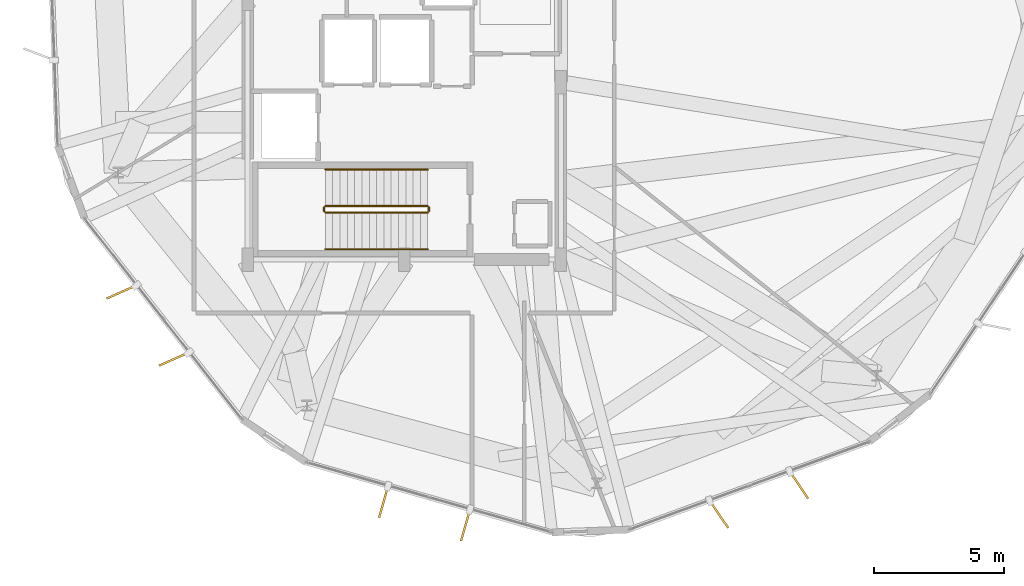
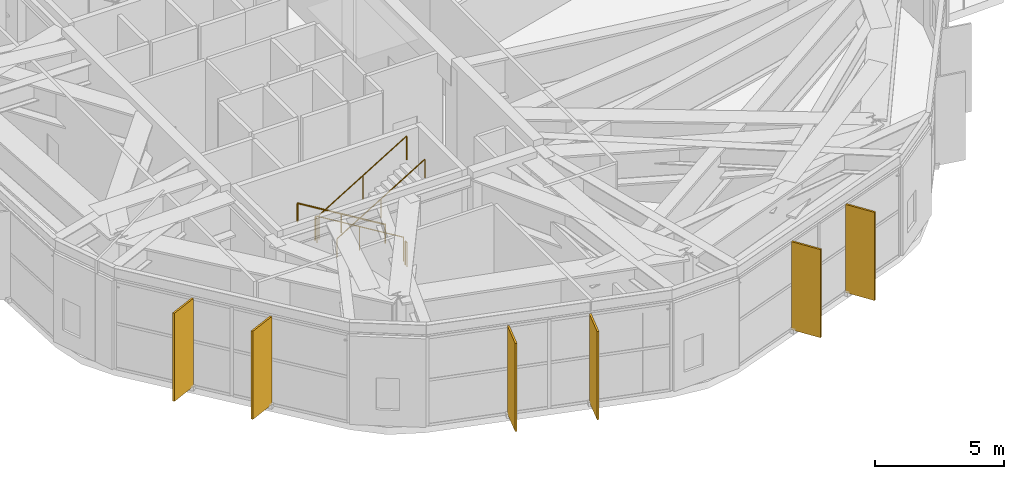
# One storey, part 28 of 30: 6 railings, 6 shading devices.
"""IFC4 building model written with IfcOpenShell, lengths in metres."""

import ifcopenshell
import ifcopenshell.guid

model = None  # the IFC model being written
_history = None  # IfcOwnerHistory: only IFC2X3 demands one
_inside = {}  # id of a spatial element -> (the spatial element, [elements in it])
_under = {}  # id of a project, library or spatial element -> (it, [spatial elements below it])
_declared = {}  # id of a project -> (the project, [libraries it declares])
_typed = {}  # id of a type object -> (the type object, [elements of that type])
_made_of = {}  # id of a material, layer set ... -> (it, [elements and type objects made of it])


def new_model(schema):
    """Start an empty IFC model of exactly this schema.

    Asked for "IFC4X3", IfcOpenShell would pick the latest addendum, in which some entities
    have other attributes; the version numbers below select the first issue.
    IFC2X3 requires an IfcOwnerHistory on every rooted entity: one is made here for all.
    """
    global model, _history
    if schema == "IFC4X3":
        model = ifcopenshell.file(schema_version=(4, 3, 0, 0))
    else:
        model = ifcopenshell.file(schema=schema)
    _inside.clear()
    _under.clear()
    _declared.clear()
    _typed.clear()
    _made_of.clear()
    _history = None
    if model.schema == "IFC2X3":
        org = make("IfcOrganization", Name="unknown")
        user = make(
            "IfcPersonAndOrganization",
            ThePerson=make("IfcPerson", FamilyName="unknown"),
            TheOrganization=org,
        )
        app = make(
            "IfcApplication",
            ApplicationDeveloper=org,
            Version="unknown",
            ApplicationFullName="unknown",
            ApplicationIdentifier="unknown",
        )
        _history = make(
            "IfcOwnerHistory",
            OwningUser=user,
            OwningApplication=app,
            ChangeAction="ADDED",
            CreationDate=0,
        )
    return model


def make(cls, **values):
    """One entity of the class cls with the attributes given. An attribute that is None is left unset."""
    return model.create_entity(
        cls, **{name: value for name, value in values.items() if value is not None}
    )


def rooted(cls, **values):
    """An entity with a GlobalId (a new one), such as an element, a storey or a relation."""
    return make(cls, GlobalId=ifcopenshell.guid.new(), OwnerHistory=_history, **values)


def si_unit(unit_type, name, prefix=None):
    """IfcSIUnit, for example si_unit("LENGTHUNIT", "METRE", prefix="MILLI")."""
    return make("IfcSIUnit", UnitType=unit_type, Prefix=prefix, Name=name)


def assignment(units):
    """IfcUnitAssignment: the units of a project."""
    return None if units is None else make("IfcUnitAssignment", Units=units)


def point(xyz):
    """IfcCartesianPoint."""
    return None if xyz is None else make("IfcCartesianPoint", Coordinates=xyz)


def direction(xyz):
    """IfcDirection."""
    return None if xyz is None else make("IfcDirection", DirectionRatios=xyz)


def frame(location, z_axis=None, x_axis=None):
    """IfcAxis2Placement3D, a coordinate frame: its origin and axes. An axis left out is left unset."""
    return make(
        "IfcAxis2Placement3D",
        Location=point(location),
        Axis=direction(z_axis),
        RefDirection=direction(x_axis),
    )


def frame_2d(location, x_axis=None):
    """IfcAxis2Placement2D, a coordinate frame in the plane: its origin and x axis."""
    return make(
        "IfcAxis2Placement2D", Location=point(location), RefDirection=direction(x_axis)
    )


def origin():
    """The frame at (0, 0, 0) with its axes left unset."""
    return frame((0.0, 0.0, 0.0))


def origin_2d():
    """The frame at (0, 0) in the plane with its x axis left unset."""
    return frame_2d((0.0, 0.0))


def place(relative_to, where):
    """IfcLocalPlacement: puts the frame where relative to a parent placement (None: the world)."""
    return make(
        "IfcLocalPlacement", PlacementRelTo=relative_to, RelativePlacement=where
    )


def context(
    kind, dimensions, precision=None, world=None, true_north=None, identifier=None
):
    """IfcGeometricRepresentationContext, for example the 3D "Model" context."""
    return make(
        "IfcGeometricRepresentationContext",
        ContextIdentifier=identifier,
        ContextType=kind,
        CoordinateSpaceDimension=dimensions,
        Precision=precision,
        WorldCoordinateSystem=world,
        TrueNorth=true_north,
    )


def subcontext(parent, identifier, kind, view, scale=None):
    """IfcGeometricRepresentationSubContext, for example "Body" below "Model"."""
    return make(
        "IfcGeometricRepresentationSubContext",
        ContextIdentifier=identifier,
        ContextType=kind,
        ParentContext=parent,
        TargetScale=scale,
        TargetView=view,
    )


def project(units=None, contexts=None):
    """IfcProject with its units and contexts."""
    return rooted(
        "IfcProject",
        Name="project",
        RepresentationContexts=contexts,
        UnitsInContext=assignment(units),
    )


def spatial(cls, under=None, at=None, **own):
    """A site, building, storey or space (cls), placed at a placement, below another one or the project."""
    s = rooted(cls, ObjectPlacement=at, **own)
    if under is not None:
        _under.setdefault(under.id(), (under, []))[1].append(s)
    return s


def profile(cls, at=None, kind="AREA", **sizes):
    """A parametric profile (cls). Its sizes go by their IFC names, for example OverallWidth=200.0."""
    return make(cls, ProfileType=kind, Position=at, **sizes)


def rectangle(**sizes):
    """IfcRectangleProfileDef."""
    return profile("IfcRectangleProfileDef", **sizes)


def circle(**sizes):
    """IfcCircleProfileDef."""
    return profile("IfcCircleProfileDef", **sizes)


def extrude(swept, where, along, depth):
    """IfcExtrudedAreaSolid: the profile swept, set in the frame where, extruded along a direction by depth."""
    return make(
        "IfcExtrudedAreaSolid",
        SweptArea=swept,
        Position=where,
        ExtrudedDirection=direction(along),
        Depth=depth,
    )


def shape(context_of_items, identifier, shape_type, items):
    """IfcShapeRepresentation: the items that make up one representation, for example the "Body"."""
    return make(
        "IfcShapeRepresentation",
        ContextOfItems=context_of_items,
        RepresentationIdentifier=identifier,
        RepresentationType=shape_type,
        Items=items,
    )


def material(Name=None, Category=None):
    """IfcMaterial."""
    return make("IfcMaterial", Name=Name, Category=Category)


def layer(
    of_material, thickness, ventilated=None, Name=None, Category=None, Priority=None
):
    """IfcMaterialLayer: one layer of a wall or slab, of a material (None: an air gap)."""
    return make(
        "IfcMaterialLayer",
        Material=of_material,
        LayerThickness=thickness,
        IsVentilated=ventilated,
        Name=Name,
        Category=Category,
        Priority=Priority,
    )


def layer_set(layers, Name=None):
    """IfcMaterialLayerSet."""
    return make("IfcMaterialLayerSet", MaterialLayers=layers, LayerSetName=Name)


def made_of(thing, what):
    """Note that an element or type object is made of a material, layer set ...; save() writes the relation."""
    if what is not None:
        _made_of.setdefault(what.id(), (what, []))[1].append(thing)
    return thing


def type_object(cls, material=None, **own):
    """A type object (cls), such as IfcWallType, which elements share."""
    return made_of(rooted(cls, **own), material)


def element(
    cls,
    number,
    at=None,
    inside=None,
    cuts=None,
    type_object=None,
    material=None,
    context=None,
    identifier="Body",
    shape_type=None,
    held_by="IfcProductDefinitionShape",
    body=None,
    shapes=None,
    **own,
):
    """One element of the class cls, such as IfcWall. Its Tag is "e" and its number.

    at: its placement. inside: the storey or other place that contains it. cuts: it is an
    opening in that element (IfcRelVoidsElement). A single representation is given by context,
    identifier, shape_type and body (its items); several are given by shapes. held_by: the class
    of the entity that holds the representations. save() writes the other relations.
    """
    e = rooted(cls, Tag="e%d" % number, ObjectPlacement=at, **own)
    if body is not None:
        shapes = [shape(context, identifier, shape_type, body)]
    if shapes is not None:
        e.Representation = make(held_by, Representations=shapes)
    if inside is not None:
        _inside.setdefault(inside.id(), (inside, []))[1].append(e)
    if cuts is not None:
        rooted(
            "IfcRelVoidsElement", RelatingBuildingElement=cuts, RelatedOpeningElement=e
        )
    if type_object is not None:
        _typed.setdefault(type_object.id(), (type_object, []))[1].append(e)
    return made_of(e, material)


def aggregate(whole, parts):
    """IfcRelAggregates: a whole, such as a stair, and the parts it consists of."""
    return rooted("IfcRelAggregates", RelatingObject=whole, RelatedObjects=parts)


def save(model, path):
    """Write the relations noted so far, then the file.

    IfcRelAggregates (storeys below a building ...), IfcRelContainedInSpatialStructure (elements
    in a storey), IfcRelDefinesByType, IfcRelAssociatesMaterial and IfcRelDeclares: one each for
    every whole, place, type object, material and project.
    """
    for whole, parts in _under.values():
        aggregate(whole, parts)
    for where, things in _inside.values():
        rooted(
            "IfcRelContainedInSpatialStructure",
            RelatedElements=things,
            RelatingStructure=where,
        )
    for kind, things in _typed.values():
        rooted("IfcRelDefinesByType", RelatedObjects=things, RelatingType=kind)
    for what, things in _made_of.values():
        rooted("IfcRelAssociatesMaterial", RelatedObjects=things, RelatingMaterial=what)
    for by, libraries in _declared.values():
        rooted("IfcRelDeclares", RelatingContext=by, RelatedDefinitions=libraries)
    model.write(path)


model = new_model("IFC4")

# Units and contexts
model_context = context("Model", 3, precision=1e-05, world=origin(), true_north=direction((0.0, 1.0)))
body_context = subcontext(model_context, "Body", "Model", "MODEL_VIEW")
ifc_project = project(units=[si_unit("LENGTHUNIT", "METRE"), si_unit("AREAUNIT", "SQUARE_METRE"), si_unit("VOLUMEUNIT", "CUBIC_METRE"), si_unit("PLANEANGLEUNIT", "RADIAN"), si_unit("MASSUNIT", "GRAM", prefix="KILO")], contexts=[model_context])

# Site, building, storey
site_placement = place(None, origin())
site = spatial("IfcSite", under=ifc_project, at=site_placement, CompositionType="ELEMENT")
building_placement = place(site_placement, origin())
building = spatial("IfcBuilding", under=site, at=building_placement, Name="Soratama Intermodal Tower", CompositionType="ELEMENT")
storey_placement = place(building_placement, frame((0.0, 0.0, 237.39990234375)))
storey = spatial("IfcBuildingStorey", under=building, at=storey_placement, Name="L60", CompositionType="ELEMENT", Elevation=237.39990234375)

# Railings
ifc_material_1 = material(Name="Painted steel stair guardrail", Category="steel")
railing_type_1 = type_object("IfcRailingType", Name="RL-STAIR-GUARD", PredefinedType="GUARDRAIL", material=ifc_material_1)
railing_1_placement = place(storey_placement, frame((39.5, 17.050048828125, 0.170166015625)))
element("IfcRailing", 1, at=railing_1_placement, inside=storey, type_object=railing_type_1, Name="L60 ST-1 stair guard 1", PredefinedType="GUARDRAIL", context=body_context, shape_type="SweptSolid", body=[
    extrude(circle(Radius=0.02392578125, at=origin_2d()), frame((0.0, 0.0, 1.1259765625), z_axis=(-0.854794262968, 0.0, 0.518967020143), x_axis=(0.0, -1.0, 0.0)), (0.0, 0.0, 1.0), 4.585693359375),
    extrude(circle(Radius=0.02099609375, at=origin_2d()), origin(), (0.0, 0.0, 1.0), 1.101806640625),
    extrude(circle(Radius=0.02099609375, at=origin_2d()), frame((-1.9599609375, 0.0, 1.18994140625)), (0.0, 0.0, 1.0), 1.101806640625),
    extrude(circle(Radius=0.02099609375, at=origin_2d()), frame((-3.919921875, 0.0, 2.3798828125)), (0.0, 0.0, 1.0), 1.101806640625),
])
railing_2_placement = place(storey_placement, frame((35.530029296875, 17.0, 2.550048828125)))
element("IfcRailing", 2, at=railing_2_placement, inside=storey, type_object=railing_type_1, Name="L60 ST-1 stair guard 2", PredefinedType="GUARDRAIL", context=body_context, shape_type="SweptSolid", body=[
    extrude(circle(Radius=0.02392578125, at=origin_2d()), frame((0.0, 0.0, 1.1259765625), z_axis=(0.0, -1.0, 0.0), x_axis=(1.0, 0.0, 0.0)), (0.0, 0.0, 1.0), 0.14990234375),
    extrude(circle(Radius=0.02099609375, at=origin_2d()), origin(), (0.0, 0.0, 1.0), 1.101806640625),
    extrude(circle(Radius=0.02099609375, at=origin_2d()), frame((0.0, -0.14990234375, 0.0)), (0.0, 0.0, 1.0), 1.101806640625),
])
railing_3_placement = place(storey_placement, frame((35.580078125, 16.800048828125, 2.72021484375)))
element("IfcRailing", 3, at=railing_3_placement, inside=storey, type_object=railing_type_1, Name="L60 ST-1 stair guard 3", PredefinedType="GUARDRAIL", context=body_context, shape_type="SweptSolid", body=[
    extrude(circle(Radius=0.02392578125, at=origin_2d()), frame((0.0, 0.0, 1.1259765625), z_axis=(0.854794262968, 0.0, 0.518967020143), x_axis=(0.0, 1.0, 0.0)), (0.0, 0.0, 1.0), 4.585693359375),
    extrude(circle(Radius=0.02099609375, at=origin_2d()), origin(), (0.0, 0.0, 1.0), 1.101806640625),
    extrude(circle(Radius=0.02099609375, at=origin_2d()), frame((1.9599609375, 0.0, 1.18994140625)), (0.0, 0.0, 1.0), 1.101806640625),
    extrude(circle(Radius=0.02099609375, at=origin_2d()), frame((3.919921875, 0.0, 2.3798828125)), (0.0, 0.0, 1.0), 1.101806640625),
])
railing_4_placement = place(storey_placement, frame((39.550048828125, 17.0, 0.0)))
element("IfcRailing", 4, at=railing_4_placement, inside=storey, type_object=railing_type_1, Name="L60 ST-1 stair guard 4", PredefinedType="GUARDRAIL", context=body_context, shape_type="SweptSolid", body=[
    extrude(circle(Radius=0.02392578125, at=origin_2d()), frame((0.0, 0.0, 1.1259765625), z_axis=(0.0, -1.0, 0.0), x_axis=(1.0, 0.0, 0.0)), (0.0, 0.0, 1.0), 0.14990234375),
    extrude(circle(Radius=0.02099609375, at=origin_2d()), origin(), (0.0, 0.0, 1.0), 1.101806640625),
    extrude(circle(Radius=0.02099609375, at=origin_2d()), frame((0.0, -0.14990234375, 0.0)), (0.0, 0.0, 1.0), 1.101806640625),
])
ifc_material_2 = material(Name="Brushed stainless steel handrail", Category="steel")
railing_type_2 = type_object("IfcRailingType", Name="RL-STAIR-HAND", PredefinedType="HANDRAIL", material=ifc_material_2)
railing_5_placement = place(storey_placement, frame((39.5, 18.449951171875, 0.170166015625)))
element("IfcRailing", 5, at=railing_5_placement, inside=storey, type_object=railing_type_2, Name="L60 ST-1 stair handrail 1", PredefinedType="HANDRAIL", context=body_context, shape_type="SweptSolid", body=[
    extrude(circle(Radius=0.02392578125, at=origin_2d()), frame((0.0, 0.0, 0.8759765625), z_axis=(-0.854794262968, 0.0, 0.518967020143), x_axis=(0.0, -1.0, 0.0)), (0.0, 0.0, 1.0), 4.585693359375),
    extrude(circle(Radius=0.02099609375, at=origin_2d()), origin(), (0.0, 0.0, 1.0), 0.851806640625),
    extrude(circle(Radius=0.02099609375, at=origin_2d()), frame((-1.9599609375, 0.0, 1.18994140625)), (0.0, 0.0, 1.0), 0.851806640625),
    extrude(circle(Radius=0.02099609375, at=origin_2d()), frame((-3.919921875, 0.0, 2.3798828125)), (0.0, 0.0, 1.0), 0.851806640625),
])
railing_6_placement = place(storey_placement, frame((35.580078125, 15.39990234375, 2.72021484375)))
element("IfcRailing", 6, at=railing_6_placement, inside=storey, type_object=railing_type_2, Name="L60 ST-1 stair handrail 2", PredefinedType="HANDRAIL", context=body_context, shape_type="SweptSolid", body=[
    extrude(circle(Radius=0.02392578125, at=origin_2d()), frame((0.0, 0.0, 0.8759765625), z_axis=(0.854794262968, 0.0, 0.518967020143), x_axis=(0.0, 1.0, 0.0)), (0.0, 0.0, 1.0), 4.585693359375),
    extrude(circle(Radius=0.02099609375, at=origin_2d()), origin(), (0.0, 0.0, 1.0), 0.851806640625),
    extrude(circle(Radius=0.02099609375, at=origin_2d()), frame((1.9599609375, 0.0, 1.18994140625)), (0.0, 0.0, 1.0), 0.851806640625),
    extrude(circle(Radius=0.02099609375, at=origin_2d()), frame((3.919921875, 0.0, 2.3798828125)), (0.0, 0.0, 1.0), 0.851806640625),
])

# Shading devices
ifc_material_3 = material(Name="Champagne anodised aluminium solar fin", Category="aluminium")
ifc_layer = layer(ifc_material_3, 0.080078125)
ifc_layer_set = layer_set([ifc_layer], Name="Champagne anodised aluminium solar fin")
shading_device_type = type_object("IfcShadingDeviceType", Name="SH-FIN-1250", PredefinedType="USERDEFINED", material=ifc_layer_set)
for number, where, z_axis, x_axis, name in (
    (7, (27.76123046875, 13.7578125, 0.02001953125), (0.0, 0.0, 1.0), (-0.913616432664, -0.406577193121, 0.0), "L60 Solar Fin F05-1"),
    (8, (29.7763671875, 11.18798828125, 0.02001953125), (0.0, 0.0, 1.0), (-0.913616432664, -0.406577193121, 0.0), "L60 Solar Fin F05-2"),
    (9, (37.807373046875, 5.71044921875, 0.02001953125), (0.0, 0.0, 1.0), (-0.273959218692, -0.961741309549, 0.0), "L60 Solar Fin F06-1"),
    (10, (40.9482421875, 4.815673828125, 0.02001953125), (0.0, 0.0, 1.0), (-0.273959218692, -0.961741309549, 0.0), "L60 Solar Fin F06-2"),
    (11, (50.66015625, 5.239013671875, 0.02001953125), (0.0, 0.0, 1.0), (0.562227722082, -0.826982459622, 0.0), "L60 Solar Fin F07-1"),
    (12, (53.72705078125, 6.361328125, 0.02001953125), (0.0, 0.0, 1.0), (0.562227722082, -0.826982459622, 0.0), "L60 Solar Fin F07-2"),
):
    element("IfcShadingDevice", number, at=place(storey_placement, frame(where, z_axis=z_axis, x_axis=x_axis)), inside=storey, type_object=shading_device_type, Name=name, ObjectType="FIN", PredefinedType="USERDEFINED", context=body_context, shape_type="SweptSolid", body=[
        extrude(rectangle(XDim=1.25, YDim=0.080078125, at=origin_2d()), origin(), (0.0, 0.0, 1.0), 4.158935546875),
    ])

save(model, "model.ifc")
